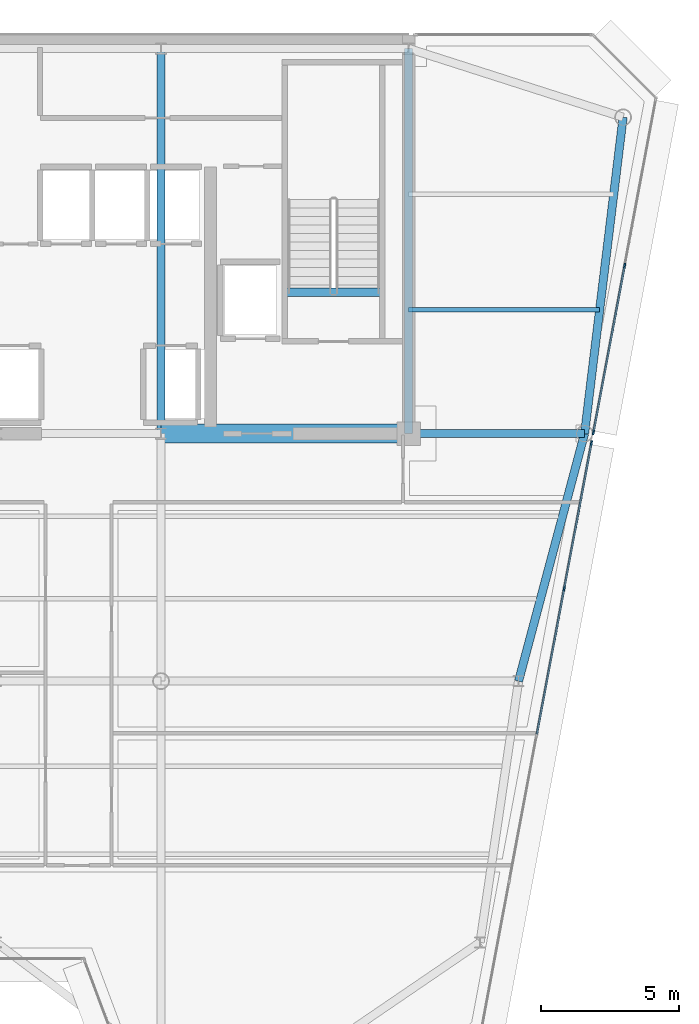
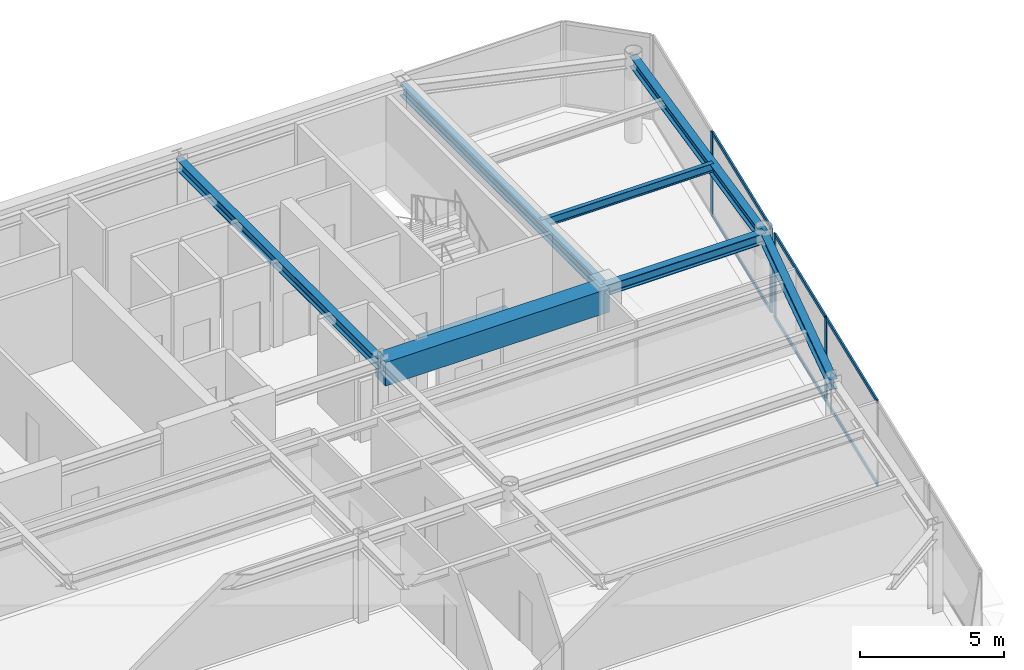
# One storey, part 7 of 19: 10 members, 8 beams, 2 elements without a shape of their own.
"""IFC4 building model written with IfcOpenShell, lengths in metres."""

from ifc_helpers import new_model, si_unit, direction, frame, origin, origin_2d, place, context, subcontext, project, spatial, rectangle, i_section, extrude, source, transform, mapped, material, layer, layer_set, material_profile, profile_set, type_object, element, aggregate, save


model = new_model("IFC4")

# Units and contexts
model_context = context("Model", 3, precision=1e-05, world=origin(), true_north=direction((0.0, 1.0)))
body_context = subcontext(model_context, "Body", "Model", "MODEL_VIEW")
ifc_project = project(units=[si_unit("LENGTHUNIT", "METRE"), si_unit("AREAUNIT", "SQUARE_METRE"), si_unit("VOLUMEUNIT", "CUBIC_METRE"), si_unit("PLANEANGLEUNIT", "RADIAN"), si_unit("MASSUNIT", "GRAM", prefix="KILO")], contexts=[model_context])

# Site, building, storey
site_placement = place(None, origin())
site = spatial("IfcSite", under=ifc_project, at=site_placement, CompositionType="ELEMENT")
building_placement = place(site_placement, origin())
building = spatial("IfcBuilding", under=site, at=building_placement, Name="Vaeldorn Concourse Tower", CompositionType="ELEMENT")
storey_placement = place(building_placement, frame((0.0, 0.0, 287.800048828125)))
storey = spatial("IfcBuildingStorey", under=building, at=storey_placement, Name="L74", CompositionType="ELEMENT", Elevation=287.800048828125)

# Beams
ifc_material_1 = material(Name="Concrete C50/60", Category="concrete")
ifc_material_profile_1 = material_profile(ifc_material_1, rectangle(XDim=0.699951171875, YDim=1.0, at=origin_2d()), Name="RC 700x1000")
ifc_profile_set_1 = profile_set([ifc_material_profile_1], Name="Concrete C50/60")
beam_type_1 = type_object("IfcBeamType", Name="BM-CB-RC700", PredefinedType="BEAM", material=ifc_profile_set_1)
shared_shape_1 = source(origin(), body_context, "Body", "SweptSolid", [
    extrude(rectangle(XDim=0.699951171875, YDim=1.0, at=origin_2d()), origin(), (0.0, 0.0, 1.0), 9.0),
])
beam_1_placement = place(storey_placement, frame((45.0, 36.5, 3.079833984375), z_axis=(1.0, 0.0, 0.0), x_axis=(0.0, 1.0, 0.0)))
element("IfcBeam", 1, at=beam_1_placement, inside=storey, type_object=beam_type_1, Name="Core Coupling Beam L74-2", PredefinedType="BEAM", context=body_context, shape_type="MappedRepresentation", body=[
    mapped(shared_shape_1, transform((0.0, 0.0, 0.0), scale=1.0)),
])
ifc_material_2 = material(Name="Steel S355", Category="steel")
ifc_material_profile_2 = material_profile(ifc_material_2, i_section(OverallWidth=0.300048828125, OverallDepth=0.340087890625, WebThickness=0.011962890625, FlangeThickness=0.021484375, FilletRadius=0.027099609375, at=origin_2d()), Name="HEB 340")
ifc_profile_set_2 = profile_set([ifc_material_profile_2], Name="Steel S355")
beam_type_2 = type_object("IfcBeamType", Name="BM-ST-TRIM", PredefinedType="BEAM", material=ifc_profile_set_2)
shared_shape_2 = source(origin(), body_context, "Body", "SweptSolid", [
    extrude(i_section(OverallWidth=0.300048828125, OverallDepth=0.340087890625, WebThickness=0.011962890625, FlangeThickness=0.021484375, FilletRadius=0.027099609375, at=origin_2d()), origin(), (0.0, 0.0, 1.0), 3.590087890625),
])
beam_2_placement = place(storey_placement, frame((49.47998046875, 41.639892578125, -0.39013671875), z_axis=(1.0, 0.0, 0.0), x_axis=(0.0, 1.0, 0.0)))
element("IfcBeam", 2, at=beam_2_placement, inside=storey, type_object=beam_type_2, Name="Stair Landing Trimmer Beam ST-2 L74", PredefinedType="BEAM", context=body_context, shape_type="MappedRepresentation", body=[
    mapped(shared_shape_2, transform((0.0, 0.0, 0.0), scale=1.0)),
])
ifc_material_profile_3 = material_profile(ifc_material_2, i_section(OverallWidth=0.169921875, OverallDepth=0.360107421875, WebThickness=0.008056640625, FlangeThickness=0.0126953125, FilletRadius=0.01806640625, at=origin_2d()), Name="IPE 360")
ifc_profile_set_3 = profile_set([ifc_material_profile_3], Name="Steel S355")
beam_type_3 = type_object("IfcBeamType", Name="BM-JS-IPE360", PredefinedType="JOIST", material=ifc_profile_set_3)
shared_shape_3 = source(origin(), body_context, "Body", "SweptSolid", [
    extrude(i_section(OverallWidth=0.169921875, OverallDepth=0.360107421875, WebThickness=0.008056640625, FlangeThickness=0.0126953125, FilletRadius=0.01806640625, at=origin_2d()), origin(), (0.0, 0.0, 1.0), 6.94775390625),
])
beam_3_placement = place(storey_placement, frame((54.0, 41.0, 3.39990234375), z_axis=(1.0, 0.0, 0.0), x_axis=(0.0, 1.0, 0.0)))
element("IfcBeam", 3, at=beam_3_placement, inside=storey, type_object=beam_type_3, Name="Beam JS-L74-NE-410", PredefinedType="JOIST", context=body_context, shape_type="MappedRepresentation", body=[
    mapped(shared_shape_3, transform((0.0, 0.0, 0.0), scale=1.0)),
])
ifc_material_profile_4 = material_profile(ifc_material_2, i_section(OverallWidth=0.300048828125, OverallDepth=0.449951171875, WebThickness=0.013916015625, FlangeThickness=0.02587890625, FilletRadius=0.027099609375, at=origin_2d()), Name="HEB 450")
ifc_profile_set_4 = profile_set([ifc_material_profile_4], Name="Steel S355")
beam_type_4 = type_object("IfcBeamType", Name="BM-PG-HEB450", PredefinedType="BEAM", material=ifc_profile_set_4)
shared_shape_4 = source(origin(), body_context, "Body", "SweptSolid", [
    extrude(i_section(OverallWidth=0.300048828125, OverallDepth=0.449951171875, WebThickness=0.013916015625, FlangeThickness=0.02587890625, FilletRadius=0.027099609375, at=origin_2d()), origin(), (0.0, 0.0, 1.0), 14.0),
])
for number, where, z_axis, x_axis, name in (
    (4, (45.0, 36.5, 3.35498046875), (0.0, 1.0, 0.0), (-1.0, 0.0, 0.0), "Beam BM-L74-C-FC5-C-HC4"),
    (5, (54.0, 36.5, 3.35498046875), (0.0, 1.0, 0.0), (-1.0, 0.0, 0.0), "Beam BM-L74-C-FC6-C-HC5"),
):
    element("IfcBeam", number, at=place(storey_placement, frame(where, z_axis=z_axis, x_axis=x_axis)), inside=storey, type_object=beam_type_4, Name=name, PredefinedType="BEAM", context=body_context, shape_type="MappedRepresentation", body=[
        mapped(shared_shape_4, transform((0.0, 0.0, 0.0), scale=1.0)),
    ])
shared_shape_5 = source(origin(), body_context, "Body", "SweptSolid", [
    extrude(i_section(OverallWidth=0.300048828125, OverallDepth=0.449951171875, WebThickness=0.013916015625, FlangeThickness=0.02587890625, FilletRadius=0.027099609375, at=origin_2d()), origin(), (0.0, 0.0, 1.0), 11.5849609375),
])
beam_4_placement = place(storey_placement, frame((61.800048828125, 48.0, 3.35498046875), z_axis=(-0.120859382899, -0.992669637677, 0.0), x_axis=(0.992669637677, -0.120859382899, 0.0)))
element("IfcBeam", 6, at=beam_4_placement, inside=storey, type_object=beam_type_4, Name="Beam BM-L74-C-NE1-C-NE2", PredefinedType="BEAM", context=body_context, shape_type="MappedRepresentation", body=[
    mapped(shared_shape_5, transform((0.0, 0.0, 0.0), scale=1.0)),
])
shared_shape_6 = source(origin(), body_context, "Body", "SweptSolid", [
    extrude(i_section(OverallWidth=0.300048828125, OverallDepth=0.449951171875, WebThickness=0.013916015625, FlangeThickness=0.02587890625, FilletRadius=0.027099609375, at=origin_2d()), origin(), (0.0, 0.0, 1.0), 6.39990234375),
])
beam_5_placement = place(storey_placement, frame((54.0, 36.5, 3.35498046875), z_axis=(1.0, 0.0, 0.0), x_axis=(0.0, 1.0, 0.0)))
element("IfcBeam", 7, at=beam_5_placement, inside=storey, type_object=beam_type_4, Name="Beam BM-L74-C-FC6-C-NE2", PredefinedType="BEAM", context=body_context, shape_type="MappedRepresentation", body=[
    mapped(shared_shape_6, transform((0.0, 0.0, 0.0), scale=1.0)),
])
shared_shape_7 = source(origin(), body_context, "Body", "SweptSolid", [
    extrude(i_section(OverallWidth=0.300048828125, OverallDepth=0.449951171875, WebThickness=0.013916015625, FlangeThickness=0.02587890625, FilletRadius=0.027099609375, at=origin_2d()), origin(), (0.0, 0.0, 1.0), 9.314453125),
])
beam_6_placement = place(storey_placement, frame((60.39990234375, 36.5, 3.35498046875), z_axis=(-0.257652862255, -0.966237549763, 0.0), x_axis=(0.966237549763, -0.257652862255, 0.0)))
element("IfcBeam", 8, at=beam_6_placement, inside=storey, type_object=beam_type_4, Name="Beam BM-L74-C-NE2-C-FLE1", PredefinedType="BEAM", context=body_context, shape_type="MappedRepresentation", body=[
    mapped(shared_shape_7, transform((0.0, 0.0, 0.0), scale=1.0)),
])

# Curtain wall, members
ifc_material_3 = material(Name="Anodised Bronze Aluminium", Category="aluminium")
ifc_layer = layer(ifc_material_3, 0.179931640625)
ifc_layer_set = layer_set([ifc_layer], Name="Anodised Bronze Aluminium")
curtain_wall_type = type_object("IfcCurtainWallType", Name="CW-SYS-05", PredefinedType="NOTDEFINED", material=ifc_layer_set)
curtain_wall_1_placement = place(storey_placement, origin())
curtain_wall_1 = element("IfcCurtainWall", 9, at=curtain_wall_1_placement, inside=storey, type_object=curtain_wall_type, Name="Unitised Curtain Wall CW-L74-E07-1", PredefinedType="NOTDEFINED")
ifc_material_profile_5 = material_profile(ifc_material_3, rectangle(XDim=0.06494140625, YDim=0.169921875, at=origin_2d()), Name="CWM 65x170")
ifc_profile_set_5 = profile_set([ifc_material_profile_5], Name="Anodised Bronze Aluminium")
member_type_1 = type_object("IfcMemberType", Name="CWM-BRONZE-170", PredefinedType="MULLION", material=ifc_profile_set_5)
shared_shape_8 = source(origin(), body_context, "Body", "SweptSolid", [
    extrude(rectangle(XDim=0.06494140625, YDim=0.169921875, at=origin_2d()), origin(), (0.0, 0.0, 1.0), 3.579833984375),
])
member_1_placement = place(storey_placement, frame((59.656494140625, 30.86376953125, 0.0), z_axis=(0.0, 0.0, 1.0), x_axis=(-0.982880027444, 0.184246714088, 0.0)))
member_1 = element("IfcMember", 10, at=member_1_placement, type_object=member_type_1, Name="CW-05 mullion 4", PredefinedType="MULLION", context=body_context, shape_type="MappedRepresentation", body=[
    mapped(shared_shape_8, transform((0.0, 0.0, 0.0), scale=1.0)),
])
member_2_placement = place(storey_placement, frame((60.64794921875, 36.153076171875, 0.0), z_axis=(0.0, 0.0, 1.0), x_axis=(-0.982880027444, 0.184246714088, 0.0)))
member_2 = element("IfcMember", 11, at=member_2_placement, type_object=member_type_1, Name="CW-05 mullion 5", PredefinedType="MULLION", context=body_context, shape_type="MappedRepresentation", body=[
    mapped(shared_shape_8, transform((0.0, 0.0, 0.0), scale=1.0)),
])

curtain_wall_2_placement = place(storey_placement, origin())
curtain_wall_2 = element("IfcCurtainWall", 12, at=curtain_wall_2_placement, inside=storey, type_object=curtain_wall_type, Name="Unitised Curtain Wall CW-L74-E07-2", PredefinedType="NOTDEFINED")
member_3_placement = place(storey_placement, frame((60.720947265625, 36.542236328125, 0.0), z_axis=(0.0, 0.0, 1.0), x_axis=(-0.982880218842, 0.184245693053, 0.0)))
member_3 = element("IfcMember", 13, at=member_3_placement, type_object=member_type_1, Name="CW-05 mullion 1", PredefinedType="MULLION", context=body_context, shape_type="MappedRepresentation", body=[
    mapped(shared_shape_8, transform((0.0, 0.0, 0.0), scale=1.0)),
])
member_4_placement = place(storey_placement, frame((61.857421875, 42.605224609375, 0.0), z_axis=(0.0, 0.0, 1.0), x_axis=(-0.982880218842, 0.184245693053, 0.0)))
member_4 = element("IfcMember", 14, at=member_4_placement, type_object=member_type_1, Name="CW-05 mullion 2", PredefinedType="MULLION", context=body_context, shape_type="MappedRepresentation", body=[
    mapped(shared_shape_8, transform((0.0, 0.0, 0.0), scale=1.0)),
])

# Member
ifc_material_profile_6 = material_profile(ifc_material_3, rectangle(XDim=0.06494140625, YDim=0.14990234375, at=origin_2d()), Name="CWT 65x150")
ifc_profile_set_6 = profile_set([ifc_material_profile_6], Name="Anodised Bronze Aluminium")
member_type_2 = type_object("IfcMemberType", Name="CWT-BRONZE-150", PredefinedType="USERDEFINED", material=ifc_profile_set_6)
shared_shape_9 = source(origin(), body_context, "Body", "SweptSolid", [
    extrude(rectangle(XDim=0.06494140625, YDim=0.14990234375, at=origin_2d()), origin(), (0.0, 0.0, 1.0), 5.31640625),
])
member_5_placement = place(storey_placement, frame((59.66259765625, 30.895751953125, 0.032470703125), z_axis=(0.184241399207, 0.982881023735, 0.0), x_axis=(-0.982881023735, 0.184241399207, 0.0)))
member_5 = element("IfcMember", 15, at=member_5_placement, type_object=member_type_2, Name="CW-05 transom 4.1", ObjectType="TRANSOM", PredefinedType="USERDEFINED", context=body_context, shape_type="MappedRepresentation", body=[
    mapped(shared_shape_9, transform((0.0, 0.0, 0.0), scale=1.0)),
])

member_6_placement = place(storey_placement, frame((59.66259765625, 30.895751953125, 3.54736328125), z_axis=(0.184241399207, 0.982881023735, 0.0), x_axis=(-0.982881023735, 0.184241399207, 0.0)))
member_6 = element("IfcMember", 16, at=member_6_placement, type_object=member_type_2, Name="CW-05 transom 4.2", ObjectType="TRANSOM", PredefinedType="USERDEFINED", context=body_context, shape_type="MappedRepresentation", body=[
    mapped(shared_shape_9, transform((0.0, 0.0, 0.0), scale=1.0)),
])

shared_shape_10 = source(origin(), body_context, "Body", "SweptSolid", [
    extrude(rectangle(XDim=0.06494140625, YDim=0.14990234375, at=origin_2d()), origin(), (0.0, 0.0, 1.0), 5.348876953125),
])
member_7_placement = place(storey_placement, frame((58.6650390625, 25.574462890625, 0.032470703125), z_axis=(0.184216882988, 0.982885618993, 0.0), x_axis=(-0.982885618993, 0.184216882988, 0.0)))
member_7 = element("IfcMember", 17, at=member_7_placement, type_object=member_type_2, Name="CW-05 transom 3.1", ObjectType="TRANSOM", PredefinedType="USERDEFINED", context=body_context, shape_type="MappedRepresentation", body=[
    mapped(shared_shape_10, transform((0.0, 0.0, 0.0), scale=1.0)),
])

member_8_placement = place(storey_placement, frame((58.6650390625, 25.574462890625, 3.54736328125), z_axis=(0.184216882988, 0.982885618993, 0.0), x_axis=(-0.982885618993, 0.184216882988, 0.0)))
member_8 = element("IfcMember", 18, at=member_8_placement, type_object=member_type_2, Name="CW-05 transom 3.2", ObjectType="TRANSOM", PredefinedType="USERDEFINED", context=body_context, shape_type="MappedRepresentation", body=[
    mapped(shared_shape_10, transform((0.0, 0.0, 0.0), scale=1.0)),
])

aggregate(curtain_wall_1, [member_1, member_2, member_7, member_8, member_5, member_6])

shared_shape_11 = source(origin(), body_context, "Body", "SweptSolid", [
    extrude(rectangle(XDim=0.06494140625, YDim=0.14990234375, at=origin_2d()), origin(), (0.0, 0.0, 1.0), 6.103515625),
])
member_9_placement = place(storey_placement, frame((60.72705078125, 36.57421875, 0.032470703125), z_axis=(0.18424023288, 0.982881242363, 0.0), x_axis=(-0.982881242363, 0.18424023288, 0.0)))
member_9 = element("IfcMember", 19, at=member_9_placement, type_object=member_type_2, Name="CW-05 transom 1.1", ObjectType="TRANSOM", PredefinedType="USERDEFINED", context=body_context, shape_type="MappedRepresentation", body=[
    mapped(shared_shape_11, transform((0.0, 0.0, 0.0), scale=1.0)),
])

member_10_placement = place(storey_placement, frame((60.72705078125, 36.57421875, 3.54736328125), z_axis=(0.18424023288, 0.982881242363, 0.0), x_axis=(-0.982881242363, 0.18424023288, 0.0)))
member_10 = element("IfcMember", 20, at=member_10_placement, type_object=member_type_2, Name="CW-05 transom 1.2", ObjectType="TRANSOM", PredefinedType="USERDEFINED", context=body_context, shape_type="MappedRepresentation", body=[
    mapped(shared_shape_11, transform((0.0, 0.0, 0.0), scale=1.0)),
])

aggregate(curtain_wall_2, [member_3, member_4, member_9, member_10])

save(model, "model.ifc")
